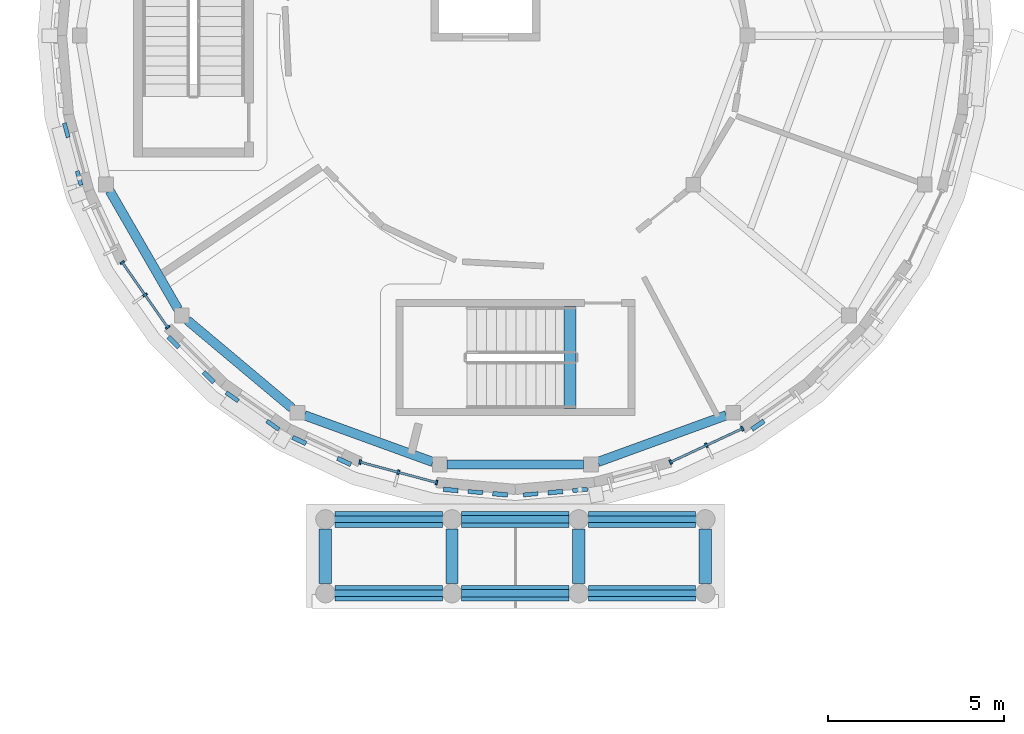
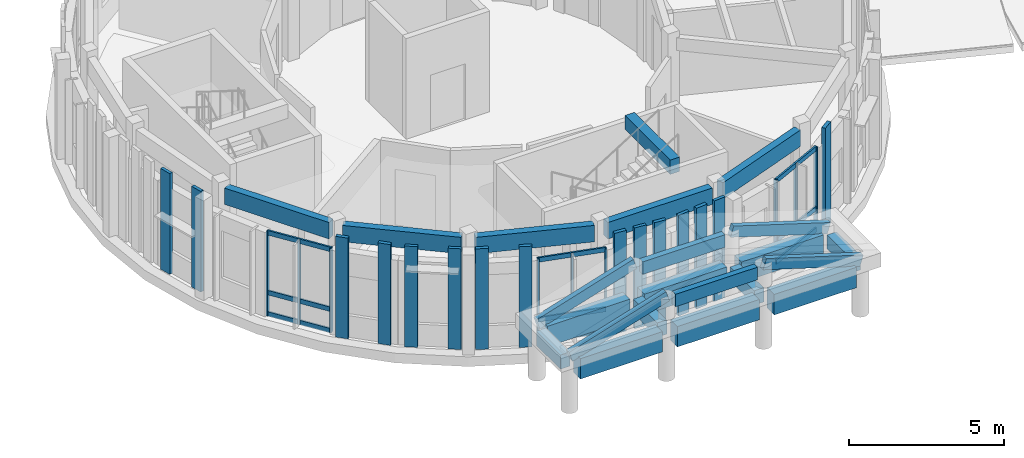
# One storey, part 5 of 80: 37 members, 18 beams, 3 elements without a shape of their own.
"""IFC4 building model written with IfcOpenShell, lengths in metres."""

from ifc_helpers import new_model, si_unit, direction, frame, origin, origin_2d, place, context, subcontext, project, spatial, rectangle, extrude, material, layer, layer_set, material_profile, profile_set, type_object, element, aggregate, save


model = new_model("IFC4")

# Units and contexts
model_context = context("Model", 3, precision=1e-05, world=origin(), true_north=direction((0.0, 1.0)))
body_context = subcontext(model_context, "Body", "Model", "MODEL_VIEW")
ifc_project = project(units=[si_unit("LENGTHUNIT", "METRE"), si_unit("AREAUNIT", "SQUARE_METRE"), si_unit("VOLUMEUNIT", "CUBIC_METRE"), si_unit("PLANEANGLEUNIT", "RADIAN"), si_unit("MASSUNIT", "GRAM", prefix="KILO")], contexts=[model_context])

# Site, building, storey
site_placement = place(None, origin())
site = spatial("IfcSite", under=ifc_project, at=site_placement, CompositionType="ELEMENT")
building_placement = place(site_placement, origin())
building = spatial("IfcBuilding", under=site, at=building_placement, Name="Aldenvaro Health Centre", CompositionType="ELEMENT")
storey_placement = place(building_placement, frame((0.0, 0.0, 4.550048828125)))
storey = spatial("IfcBuildingStorey", under=building, at=storey_placement, Name="L01", CompositionType="ELEMENT", Elevation=4.550048828125)

# Beams
ifc_material_1 = material(Name="Glulam GL28h", Category="wood")
ifc_material_profile_1 = material_profile(ifc_material_1, rectangle(XDim=0.215087890625, YDim=0.493896484375, at=origin_2d()), Name="GL 215x494", Category="wood")
ifc_profile_set_1 = profile_set([ifc_material_profile_1], Name="Glulam GL28h")
beam_type_1 = type_object("IfcBeamType", Name="BM-GL-494", PredefinedType="BEAM", material=ifc_profile_set_1)
for number, where, z_axis, x_axis, name in (
    (1, (16.97509765625, 2.64990234375, 2.949951171875), (1.0, 0.0, 0.0), (0.0, 1.0, 0.0), "Pavilion Portico W5 Pediment Collar 1"),
    (2, (16.97509765625, 4.75, 2.949951171875), (1.0, 0.0, 0.0), (0.0, 1.0, 0.0), "Pavilion Portico W5 Pediment Collar 2"),
):
    element("IfcBeam", number, at=place(storey_placement, frame(where, z_axis=z_axis, x_axis=x_axis)), inside=storey, type_object=beam_type_1, Name=name, PredefinedType="BEAM", context=body_context, shape_type="SweptSolid", body=[
        extrude(rectangle(XDim=0.215087890625, YDim=0.493896484375, at=origin_2d()), origin(), (0.0, 0.0, 1.0), 3.0498046875),
    ])
ifc_material_profile_2 = material_profile(ifc_material_1, rectangle(XDim=0.264892578125, YDim=0.64599609375, at=origin_2d()), Name="GL 265x646", Category="wood")
ifc_profile_set_2 = profile_set([ifc_material_profile_2], Name="Glulam GL28h")
beam_type_2 = type_object("IfcBeamType", Name="BM-GL-646", PredefinedType="SPANDREL", material=ifc_profile_set_2)
for number, where, z_axis, x_axis, name in (
    (3, (6.971923828125, 14.083984375, 3.6318359375), (0.499835048925, -0.866120617389, 0.0), (0.866120617389, 0.499835048925, 0.0), "D5 L01 perimeter spandrel 11"),
    (4, (9.177001953125, 10.406982421875, 3.6318359375), (0.766148557247, -0.642663510889, 0.0), (0.642663510889, 0.766148557247, 0.0), "D5 L01 perimeter spandrel 12"),
):
    element("IfcBeam", number, at=place(storey_placement, frame(where, z_axis=z_axis, x_axis=x_axis)), inside=storey, type_object=beam_type_2, Name=name, PredefinedType="SPANDREL", context=body_context, shape_type="SweptSolid", body=[
        extrude(rectangle(XDim=0.264892578125, YDim=0.64599609375, at=origin_2d()), origin(), (0.0, 0.0, 1.0), 3.879150390625),
    ])
beam_1_placement = place(storey_placement, frame((12.507080078125, 7.70703125, 3.6318359375), z_axis=(0.939683145577, -0.342046175128, 0.0), x_axis=(0.342046175128, 0.939683145577, 0.0)))
element("IfcBeam", 5, at=beam_1_placement, inside=storey, type_object=beam_type_2, Name="D5 L01 perimeter spandrel 13", PredefinedType="SPANDREL", context=body_context, shape_type="SweptSolid", body=[
    extrude(rectangle(XDim=0.264892578125, YDim=0.64599609375, at=origin_2d()), origin(), (0.0, 0.0, 1.0), 3.880126953125),
])
beam_2_placement = place(storey_placement, frame((16.56005859375, 6.30810546875, 3.6318359375), z_axis=(1.0, 0.0, 0.0), x_axis=(0.0, 1.0, 0.0)))
element("IfcBeam", 6, at=beam_2_placement, inside=storey, type_object=beam_type_2, Name="D5 L01 perimeter spandrel 14", PredefinedType="SPANDREL", context=body_context, shape_type="SweptSolid", body=[
    extrude(rectangle(XDim=0.264892578125, YDim=0.64599609375, at=origin_2d()), origin(), (0.0, 0.0, 1.0), 3.8798828125),
])
beam_3_placement = place(storey_placement, frame((20.846923828125, 6.3798828125, 3.6318359375), z_axis=(0.939683145577, 0.342046175128, 0.0), x_axis=(-0.342046175128, 0.939683145577, 0.0)))
element("IfcBeam", 7, at=beam_3_placement, inside=storey, type_object=beam_type_2, Name="D5 L01 perimeter spandrel 15", PredefinedType="SPANDREL", context=body_context, shape_type="SweptSolid", body=[
    extrude(rectangle(XDim=0.264892578125, YDim=0.64599609375, at=origin_2d()), origin(), (0.0, 0.0, 1.0), 3.880126953125),
])
ifc_material_2 = material(Name="Concrete f'c 40 MPa", Category="concrete")
ifc_material_profile_3 = material_profile(ifc_material_2, rectangle(XDim=0.35009765625, YDim=0.56005859375, at=origin_2d()), Name="RC 350x560", Category="concrete")
ifc_profile_set_3 = profile_set([ifc_material_profile_3], Name="Concrete f'c 40 MPa")
beam_type_3 = type_object("IfcBeamType", Name="BM-RC-560", PredefinedType="JOIST", material=ifc_profile_set_3)
beam_4_placement = place(storey_placement, frame((20.050048828125, 10.800048828125, 3.919921875), z_axis=(0.0, -1.0, 0.0), x_axis=(1.0, 0.0, 0.0)))
element("IfcBeam", 8, at=beam_4_placement, inside=storey, type_object=beam_type_3, Name="ST-10 L02 stair landing trimmer beam", PredefinedType="JOIST", context=body_context, shape_type="SweptSolid", body=[
    extrude(rectangle(XDim=0.35009765625, YDim=0.56005859375, at=origin_2d()), origin(), (0.0, 0.0, 1.0), 2.900146484375),
])
ifc_material_profile_4 = material_profile(ifc_material_2, rectangle(XDim=0.35009765625, YDim=0.56005859375, at=origin_2d()), Name="RC 350x560", Category="concrete")
ifc_profile_set_4 = profile_set([ifc_material_profile_4], Name="Concrete f'c 40 MPa")
beam_type_4 = type_object("IfcBeamType", Name="BM-RC-560E", PredefinedType="JOIST", material=ifc_profile_set_4)
for number, where, z_axis, x_axis, name in (
    (9, (13.10009765625, 2.925048828125, 1.719970703125), (0.0, 1.0, 0.0), (-1.0, 0.0, 0.0), "Pavilion Portico W5 Entablature Tie 1"),
    (10, (16.699951171875, 2.925048828125, 1.719970703125), (0.0, 1.0, 0.0), (-1.0, 0.0, 0.0), "Pavilion Portico W5 Entablature Tie 2"),
    (11, (20.300048828125, 2.925048828125, 1.719970703125), (0.0, 1.0, 0.0), (-1.0, 0.0, 0.0), "Pavilion Portico W5 Entablature Tie 3"),
    (12, (23.89990234375, 2.925048828125, 1.719970703125), (0.0, 1.0, 0.0), (-1.0, 0.0, 0.0), "Pavilion Portico W5 Entablature Tie 4"),
):
    element("IfcBeam", number, at=place(storey_placement, frame(where, z_axis=z_axis, x_axis=x_axis)), inside=storey, type_object=beam_type_4, Name=name, PredefinedType="JOIST", context=body_context, shape_type="SweptSolid", body=[
        extrude(rectangle(XDim=0.35009765625, YDim=0.56005859375, at=origin_2d()), origin(), (0.0, 0.0, 1.0), 1.550048828125),
    ])
ifc_material_profile_5 = material_profile(ifc_material_2, rectangle(XDim=0.449951171875, YDim=0.800048828125, at=origin_2d()), Name="RC 450x800", Category="concrete")
ifc_profile_set_5 = profile_set([ifc_material_profile_5], Name="Concrete f'c 40 MPa")
beam_type_5 = type_object("IfcBeamType", Name="BM-RC-800", PredefinedType="SPANDREL", material=ifc_profile_set_5)
for number, where, z_axis, x_axis, name in (
    (13, (13.375, 2.64990234375, 1.599853515625), (1.0, 0.0, 0.0), (0.0, 1.0, 0.0), "Pavilion Portico W5 Classical Architrave 1.1"),
    (14, (13.375, 4.75, 1.599853515625), (1.0, 0.0, 0.0), (0.0, 1.0, 0.0), "Pavilion Portico W5 Classical Architrave 1.2"),
):
    element("IfcBeam", number, at=place(storey_placement, frame(where, z_axis=z_axis, x_axis=x_axis)), inside=storey, type_object=beam_type_5, Name=name, PredefinedType="SPANDREL", context=body_context, shape_type="SweptSolid", body=[
        extrude(rectangle(XDim=0.449951171875, YDim=0.800048828125, at=origin_2d()), origin(), (0.0, 0.0, 1.0), 3.050048828125),
    ])
for number, where, z_axis, x_axis, name in (
    (15, (16.97509765625, 2.64990234375, 1.599853515625), (1.0, 0.0, 0.0), (0.0, 1.0, 0.0), "Pavilion Portico W5 Classical Architrave 2.1"),
    (16, (16.97509765625, 4.75, 1.599853515625), (1.0, 0.0, 0.0), (0.0, 1.0, 0.0), "Pavilion Portico W5 Classical Architrave 2.2"),
):
    element("IfcBeam", number, at=place(storey_placement, frame(where, z_axis=z_axis, x_axis=x_axis)), inside=storey, type_object=beam_type_5, Name=name, PredefinedType="SPANDREL", context=body_context, shape_type="SweptSolid", body=[
        extrude(rectangle(XDim=0.449951171875, YDim=0.800048828125, at=origin_2d()), origin(), (0.0, 0.0, 1.0), 3.0498046875),
    ])
for number, where, z_axis, x_axis, name in (
    (17, (20.574951171875, 2.64990234375, 1.599853515625), (1.0, 0.0, 0.0), (0.0, 1.0, 0.0), "Pavilion Portico W5 Classical Architrave 3.1"),
    (18, (20.574951171875, 4.75, 1.599853515625), (1.0, 0.0, 0.0), (0.0, 1.0, 0.0), "Pavilion Portico W5 Classical Architrave 3.2"),
):
    element("IfcBeam", number, at=place(storey_placement, frame(where, z_axis=z_axis, x_axis=x_axis)), inside=storey, type_object=beam_type_5, Name=name, PredefinedType="SPANDREL", context=body_context, shape_type="SweptSolid", body=[
        extrude(rectangle(XDim=0.449951171875, YDim=0.800048828125, at=origin_2d()), origin(), (0.0, 0.0, 1.0), 3.050048828125),
    ])

# Curtain wall, members
ifc_material_3 = material(Name="Anodised Aluminium 6063-T6", Category="aluminium")
ifc_layer = layer(ifc_material_3, 0.195068359375, Name="Anodised Aluminium 6063-T6", Category="aluminium")
ifc_layer_set = layer_set([ifc_layer], Name="Anodised Aluminium 6063-T6")
curtain_wall_type = type_object("IfcCurtainWallType", Name="CW-CLN-02", PredefinedType="NOTDEFINED", material=ifc_layer_set)
curtain_wall_1_placement = place(storey_placement, origin())
curtain_wall_1 = element("IfcCurtainWall", 19, at=curtain_wall_1_placement, inside=storey, type_object=curtain_wall_type, Name="D5 L01 curtain wall bay 07", PredefinedType="NOTDEFINED")
ifc_material_profile_6 = material_profile(ifc_material_3, rectangle(XDim=0.06005859375, YDim=0.135009765625, at=origin_2d()), Name="ALU 60x135", Category="aluminium")
ifc_profile_set_6 = profile_set([ifc_material_profile_6], Name="Anodised Aluminium 6063-T6")
member_type_1 = type_object("IfcMemberType", Name="CWM-150", PredefinedType="MULLION", material=ifc_profile_set_6)
member_1_placement = place(storey_placement, frame((24.949951171875, 7.327880859375, 0.0), z_axis=(0.0, 0.0, 1.0), x_axis=(-0.906364844733, -0.422495879545, 0.0)))
member_1 = element("IfcMember", 20, at=member_1_placement, type_object=member_type_1, Name="D5 L01 curtain wall bay 07 mullion 1", PredefinedType="MULLION", context=body_context, shape_type="SweptSolid", body=[
    extrude(rectangle(XDim=0.06005859375, YDim=0.135009765625, at=origin_2d()), origin(), (0.0, 0.0, 1.0), 3.308837890625),
])
member_2_placement = place(storey_placement, frame((23.930908203125, 6.85302734375, 0.0), z_axis=(0.0, 0.0, 1.0), x_axis=(-0.906364844733, -0.422495879545, 0.0)))
member_2 = element("IfcMember", 21, at=member_2_placement, type_object=member_type_1, Name="D5 L01 curtain wall bay 07 mullion 2", PredefinedType="MULLION", context=body_context, shape_type="SweptSolid", body=[
    extrude(rectangle(XDim=0.06005859375, YDim=0.135009765625, at=origin_2d()), origin(), (0.0, 0.0, 1.0), 3.308837890625),
])
member_3_placement = place(storey_placement, frame((22.912109375, 6.3779296875, 0.0), z_axis=(0.0, 0.0, 1.0), x_axis=(-0.906364844733, -0.422495879545, 0.0)))
member_3 = element("IfcMember", 22, at=member_3_placement, type_object=member_type_1, Name="D5 L01 curtain wall bay 07 mullion 3", PredefinedType="MULLION", context=body_context, shape_type="SweptSolid", body=[
    extrude(rectangle(XDim=0.06005859375, YDim=0.135009765625, at=origin_2d()), origin(), (0.0, 0.0, 1.0), 3.308837890625),
])

curtain_wall_2_placement = place(storey_placement, origin())
curtain_wall_2 = element("IfcCurtainWall", 23, at=curtain_wall_2_placement, inside=storey, type_object=curtain_wall_type, Name="D5 L01 curtain wall bay 11", PredefinedType="NOTDEFINED")
member_4_placement = place(storey_placement, frame((16.260009765625, 5.7958984375, 0.0), z_axis=(0.0, 0.0, 1.0), x_axis=(-0.9659242304, 0.258825000966, 0.0)))
member_4 = element("IfcMember", 24, at=member_4_placement, type_object=member_type_1, Name="D5 L01 curtain wall bay 11 mullion 1", PredefinedType="MULLION", context=body_context, shape_type="SweptSolid", body=[
    extrude(rectangle(XDim=0.06005859375, YDim=0.135009765625, at=origin_2d()), origin(), (0.0, 0.0, 1.0), 3.308837890625),
])
member_5_placement = place(storey_placement, frame((15.174072265625, 6.0869140625, 0.0), z_axis=(0.0, 0.0, 1.0), x_axis=(-0.9659242304, 0.258825000966, 0.0)))
member_5 = element("IfcMember", 25, at=member_5_placement, type_object=member_type_1, Name="D5 L01 curtain wall bay 11 mullion 2", PredefinedType="MULLION", context=body_context, shape_type="SweptSolid", body=[
    extrude(rectangle(XDim=0.06005859375, YDim=0.135009765625, at=origin_2d()), origin(), (0.0, 0.0, 1.0), 3.308837890625),
])
member_6_placement = place(storey_placement, frame((14.087890625, 6.3779296875, 0.0), z_axis=(0.0, 0.0, 1.0), x_axis=(-0.9659242304, 0.258825000966, 0.0)))
member_6 = element("IfcMember", 26, at=member_6_placement, type_object=member_type_1, Name="D5 L01 curtain wall bay 11 mullion 3", PredefinedType="MULLION", context=body_context, shape_type="SweptSolid", body=[
    extrude(rectangle(XDim=0.06005859375, YDim=0.135009765625, at=origin_2d()), origin(), (0.0, 0.0, 1.0), 3.308837890625),
])

curtain_wall_3_placement = place(storey_placement, origin())
curtain_wall_3 = element("IfcCurtainWall", 27, at=curtain_wall_3_placement, inside=storey, type_object=curtain_wall_type, Name="D5 L01 curtain wall bay 15", PredefinedType="NOTDEFINED")
member_7_placement = place(storey_placement, frame((8.617919921875, 10.2080078125, 0.0), z_axis=(0.0, 0.0, 1.0), x_axis=(-0.573641397746, 0.819106553991, 0.0)))
member_7 = element("IfcMember", 28, at=member_7_placement, type_object=member_type_1, Name="D5 L01 curtain wall bay 15 mullion 1", PredefinedType="MULLION", context=body_context, shape_type="SweptSolid", body=[
    extrude(rectangle(XDim=0.06005859375, YDim=0.135009765625, at=origin_2d()), origin(), (0.0, 0.0, 1.0), 3.308837890625),
])
member_8_placement = place(storey_placement, frame((7.972900390625, 11.12890625, 0.0), z_axis=(0.0, 0.0, 1.0), x_axis=(-0.573641397746, 0.819106553991, 0.0)))
member_8 = element("IfcMember", 29, at=member_8_placement, type_object=member_type_1, Name="D5 L01 curtain wall bay 15 mullion 2", PredefinedType="MULLION", context=body_context, shape_type="SweptSolid", body=[
    extrude(rectangle(XDim=0.06005859375, YDim=0.135009765625, at=origin_2d()), origin(), (0.0, 0.0, 1.0), 3.308837890625),
])
member_9_placement = place(storey_placement, frame((7.327880859375, 12.050048828125, 0.0), z_axis=(0.0, 0.0, 1.0), x_axis=(-0.573641397746, 0.819106553991, 0.0)))
member_9 = element("IfcMember", 30, at=member_9_placement, type_object=member_type_1, Name="D5 L01 curtain wall bay 15 mullion 3", PredefinedType="MULLION", context=body_context, shape_type="SweptSolid", body=[
    extrude(rectangle(XDim=0.06005859375, YDim=0.135009765625, at=origin_2d()), origin(), (0.0, 0.0, 1.0), 3.308837890625),
])

# Member
ifc_material_profile_7 = material_profile(ifc_material_3, rectangle(XDim=0.06494140625, YDim=0.179931640625, at=origin_2d()), Name="ALU 65x180", Category="aluminium")
ifc_profile_set_7 = profile_set([ifc_material_profile_7], Name="Anodised Aluminium 6063-T6")
member_type_2 = type_object("IfcMemberType", Name="CWT-150", PredefinedType="USERDEFINED", material=ifc_profile_set_7)
member_10_placement = place(storey_placement, frame((24.949951171875, 7.327880859375, 0.06005859375), z_axis=(-0.906360600886, -0.422504983593, 0.0), x_axis=(0.422504983593, -0.906360600886, 0.0)))
member_10 = element("IfcMember", 31, at=member_10_placement, type_object=member_type_2, Name="D5 L01 curtain wall bay 07 transom 1", ObjectType="TRANSOM", PredefinedType="USERDEFINED", context=body_context, shape_type="SweptSolid", body=[
    extrude(rectangle(XDim=0.06494140625, YDim=0.179931640625, at=origin_2d()), origin(), (0.0, 0.0, 1.0), 2.248291015625),
])

member_11_placement = place(storey_placement, frame((24.949951171875, 7.327880859375, 0.89990234375), z_axis=(-0.906360600886, -0.422504983593, 0.0), x_axis=(0.422504983593, -0.906360600886, 0.0)))
member_11 = element("IfcMember", 32, at=member_11_placement, type_object=member_type_2, Name="D5 L01 curtain wall bay 07 transom 2", ObjectType="TRANSOM", PredefinedType="USERDEFINED", context=body_context, shape_type="SweptSolid", body=[
    extrude(rectangle(XDim=0.06494140625, YDim=0.179931640625, at=origin_2d()), origin(), (0.0, 0.0, 1.0), 2.248291015625),
])

member_12_placement = place(storey_placement, frame((24.949951171875, 7.327880859375, 3.2490234375), z_axis=(-0.906360600886, -0.422504983593, 0.0), x_axis=(0.422504983593, -0.906360600886, 0.0)))
member_12 = element("IfcMember", 33, at=member_12_placement, type_object=member_type_2, Name="D5 L01 curtain wall bay 07 transom 3", ObjectType="TRANSOM", PredefinedType="USERDEFINED", context=body_context, shape_type="SweptSolid", body=[
    extrude(rectangle(XDim=0.06494140625, YDim=0.179931640625, at=origin_2d()), origin(), (0.0, 0.0, 1.0), 2.248291015625),
])

aggregate(curtain_wall_1, [member_1, member_2, member_3, member_10, member_11, member_12])

member_13_placement = place(storey_placement, frame((16.260009765625, 5.7958984375, 0.06005859375), z_axis=(-0.96592430538, 0.258824721145, 0.0), x_axis=(-0.258824721145, -0.96592430538, 0.0)))
member_13 = element("IfcMember", 34, at=member_13_placement, type_object=member_type_2, Name="D5 L01 curtain wall bay 11 transom 1", ObjectType="TRANSOM", PredefinedType="USERDEFINED", context=body_context, shape_type="SweptSolid", body=[
    extrude(rectangle(XDim=0.06494140625, YDim=0.179931640625, at=origin_2d()), origin(), (0.0, 0.0, 1.0), 2.248779296875),
])

member_14_placement = place(storey_placement, frame((16.260009765625, 5.7958984375, 0.89990234375), z_axis=(-0.96592430538, 0.258824721145, 0.0), x_axis=(-0.258824721145, -0.96592430538, 0.0)))
member_14 = element("IfcMember", 35, at=member_14_placement, type_object=member_type_2, Name="D5 L01 curtain wall bay 11 transom 2", ObjectType="TRANSOM", PredefinedType="USERDEFINED", context=body_context, shape_type="SweptSolid", body=[
    extrude(rectangle(XDim=0.06494140625, YDim=0.179931640625, at=origin_2d()), origin(), (0.0, 0.0, 1.0), 2.248779296875),
])

member_15_placement = place(storey_placement, frame((16.260009765625, 5.7958984375, 3.2490234375), z_axis=(-0.96592430538, 0.258824721145, 0.0), x_axis=(-0.258824721145, -0.96592430538, 0.0)))
member_15 = element("IfcMember", 36, at=member_15_placement, type_object=member_type_2, Name="D5 L01 curtain wall bay 11 transom 3", ObjectType="TRANSOM", PredefinedType="USERDEFINED", context=body_context, shape_type="SweptSolid", body=[
    extrude(rectangle(XDim=0.06494140625, YDim=0.179931640625, at=origin_2d()), origin(), (0.0, 0.0, 1.0), 2.248779296875),
])

aggregate(curtain_wall_2, [member_4, member_5, member_6, member_13, member_14, member_15])

member_16_placement = place(storey_placement, frame((8.617919921875, 10.2080078125, 0.06005859375), z_axis=(-0.573644482107, 0.819104393925, 0.0), x_axis=(-0.819104393925, -0.573644482107, 0.0)))
member_16 = element("IfcMember", 37, at=member_16_placement, type_object=member_type_2, Name="D5 L01 curtain wall bay 15 transom 1", ObjectType="TRANSOM", PredefinedType="USERDEFINED", context=body_context, shape_type="SweptSolid", body=[
    extrude(rectangle(XDim=0.06494140625, YDim=0.179931640625, at=origin_2d()), origin(), (0.0, 0.0, 1.0), 2.248779296875),
])

member_17_placement = place(storey_placement, frame((8.617919921875, 10.2080078125, 0.89990234375), z_axis=(-0.573644482107, 0.819104393925, 0.0), x_axis=(-0.819104393925, -0.573644482107, 0.0)))
member_17 = element("IfcMember", 38, at=member_17_placement, type_object=member_type_2, Name="D5 L01 curtain wall bay 15 transom 2", ObjectType="TRANSOM", PredefinedType="USERDEFINED", context=body_context, shape_type="SweptSolid", body=[
    extrude(rectangle(XDim=0.06494140625, YDim=0.179931640625, at=origin_2d()), origin(), (0.0, 0.0, 1.0), 2.248779296875),
])

member_18_placement = place(storey_placement, frame((8.617919921875, 10.2080078125, 3.2490234375), z_axis=(-0.573644482107, 0.819104393925, 0.0), x_axis=(-0.819104393925, -0.573644482107, 0.0)))
member_18 = element("IfcMember", 39, at=member_18_placement, type_object=member_type_2, Name="D5 L01 curtain wall bay 15 transom 3", ObjectType="TRANSOM", PredefinedType="USERDEFINED", context=body_context, shape_type="SweptSolid", body=[
    extrude(rectangle(XDim=0.06494140625, YDim=0.179931640625, at=origin_2d()), origin(), (0.0, 0.0, 1.0), 2.248779296875),
])

aggregate(curtain_wall_3, [member_7, member_8, member_9, member_16, member_17, member_18])

# Members
ifc_material_profile_8 = material_profile(ifc_material_1, rectangle(XDim=0.18994140625, YDim=0.41796875, at=origin_2d()), Name="GL 190x418", Category="wood")
ifc_profile_set_8 = profile_set([ifc_material_profile_8], Name="Glulam GL28h")
member_type_3 = type_object("IfcMemberType", Name="MEM-RF-418", PredefinedType="RAFTER", material=ifc_profile_set_8)
for number, where, z_axis, x_axis, name in (
    (40, (13.10009765625, 2.64990234375, 2.08984375), (0.954844529678, 0.0, 0.297105914016), (0.0, 1.0, 0.0), "Pavilion Portico W5 West Rafter 1"),
    (41, (23.89990234375, 2.64990234375, 2.08984375), (-0.954844529678, 0.0, 0.297105914016), (0.0, -1.0, 0.0), "Pavilion Portico W5 East Rafter 1"),
    (42, (13.10009765625, 4.75, 2.08984375), (0.954844529678, 0.0, 0.297105914016), (0.0, 1.0, 0.0), "Pavilion Portico W5 West Rafter 2"),
    (43, (23.89990234375, 4.75, 2.08984375), (-0.954844529678, 0.0, 0.297105914016), (0.0, -1.0, 0.0), "Pavilion Portico W5 East Rafter 2"),
):
    element("IfcMember", number, at=place(storey_placement, frame(where, z_axis=z_axis, x_axis=x_axis)), inside=storey, type_object=member_type_3, Name=name, PredefinedType="RAFTER", context=body_context, shape_type="SweptSolid", body=[
        extrude(rectangle(XDim=0.18994140625, YDim=0.41796875, at=origin_2d()), origin(), (0.0, 0.0, 1.0), 3.77001953125),
    ])
ifc_material_profile_9 = material_profile(ifc_material_1, rectangle(XDim=0.114990234375, YDim=0.419921875, at=origin_2d()), Name="GL 115x420", Category="wood")
ifc_profile_set_9 = profile_set([ifc_material_profile_9], Name="Glulam GL28h")
member_type_4 = type_object("IfcMemberType", Name="MEM-SLT-420A", PredefinedType="POST", material=ifc_profile_set_9)
for number, where, z_axis, x_axis, name in (
    (44, (20.3369140625, 5.5849609375, 0.0), (0.0, 0.0, 1.0), (0.087166950289, -0.996193717495, 0.0), "D5 L01 vertical timber slat 9.1"),
    (45, (18.93408203125, 5.4619140625, 0.0), (0.0, 0.0, 1.0), (0.087166950289, -0.996193717495, 0.0), "D5 L01 vertical timber slat 9.3"),
    (46, (17.364990234375, 5.52392578125, 0.0), (0.0, 0.0, 1.0), (-0.087166950289, -0.996193717495, 0.0), "D5 L01 vertical timber slat 10.2"),
    (47, (11.60595703125, 7.426025390625, 0.0), (0.0, 0.0, 1.0), (-0.573641397746, -0.819106553991, 0.0), "D5 L01 vertical timber slat 13.1"),
    (48, (10.451904296875, 8.23388671875, 0.0), (0.0, 0.0, 1.0), (-0.573641397746, -0.819106553991, 0.0), "D5 L01 vertical timber slat 13.3"),
    (49, (6.10009765625, 14.447998046875, 0.0), (0.0, 0.0, 1.0), (-0.9659242304, -0.258825000966, 0.0), "D5 L01 vertical timber slat 17.1"),
    (50, (5.736083984375, 15.80908203125, 0.0), (0.0, 0.0, 1.0), (-0.9659242304, -0.258825000966, 0.0), "D5 L01 vertical timber slat 17.3"),
):
    element("IfcMember", number, at=place(storey_placement, frame(where, z_axis=z_axis, x_axis=x_axis)), inside=storey, type_object=member_type_4, Name=name, PredefinedType="POST", context=body_context, shape_type="SweptSolid", body=[
        extrude(rectangle(XDim=0.114990234375, YDim=0.419921875, at=origin_2d()), origin(), (0.0, 0.0, 1.0), 3.954833984375),
    ])
ifc_material_profile_10 = material_profile(ifc_material_1, rectangle(XDim=0.1298828125, YDim=0.419921875, at=origin_2d()), Name="GL 130x420", Category="wood")
ifc_profile_set_10 = profile_set([ifc_material_profile_10], Name="Glulam GL28h")
member_type_5 = type_object("IfcMemberType", Name="MEM-SLT-420B", PredefinedType="POST", material=ifc_profile_set_10)
for number, where, z_axis, x_axis, name in (
    (51, (25.39404296875, 7.426025390625, 0.0), (0.0, 0.0, 1.0), (0.573641397746, -0.819106553991, 0.0), "D5 L01 vertical timber slat 6.3"),
    (52, (19.635009765625, 5.52392578125, 0.0), (0.0, 0.0, 1.0), (0.087166950289, -0.996193717495, 0.0), "D5 L01 vertical timber slat 9.2"),
    (53, (18.06591796875, 5.4619140625, 0.0), (0.0, 0.0, 1.0), (-0.087166950289, -0.996193717495, 0.0), "D5 L01 vertical timber slat 10.1"),
    (54, (16.6630859375, 5.5849609375, 0.0), (0.0, 0.0, 1.0), (-0.087166950289, -0.996193717495, 0.0), "D5 L01 vertical timber slat 10.3"),
    (55, (13.633056640625, 6.39697265625, 0.0), (0.0, 0.0, 1.0), (-0.422495879545, -0.906364844733, 0.0), "D5 L01 vertical timber slat 12.1"),
    (56, (12.35693359375, 6.991943359375, 0.0), (0.0, 0.0, 1.0), (-0.422495879545, -0.906364844733, 0.0), "D5 L01 vertical timber slat 12.3"),
    (57, (9.787109375, 8.791015625, 0.0), (0.0, 0.0, 1.0), (-0.707106781187, -0.707106781187, 0.0), "D5 L01 vertical timber slat 14.1"),
    (58, (8.791015625, 9.787109375, 0.0), (0.0, 0.0, 1.0), (-0.707106781187, -0.707106781187, 0.0), "D5 L01 vertical timber slat 14.3"),
):
    element("IfcMember", number, at=place(storey_placement, frame(where, z_axis=z_axis, x_axis=x_axis)), inside=storey, type_object=member_type_5, Name=name, PredefinedType="POST", context=body_context, shape_type="SweptSolid", body=[
        extrude(rectangle(XDim=0.1298828125, YDim=0.419921875, at=origin_2d()), origin(), (0.0, 0.0, 1.0), 3.954833984375),
    ])

save(model, "model.ifc")
